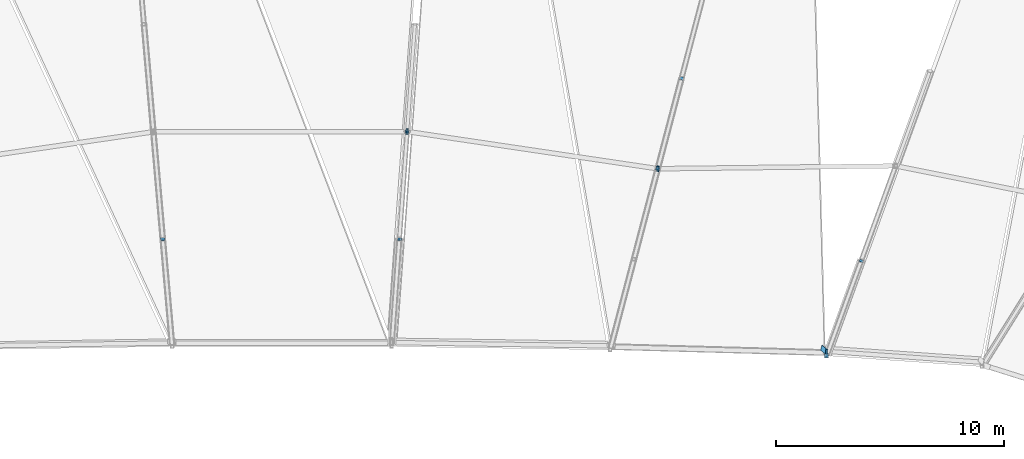
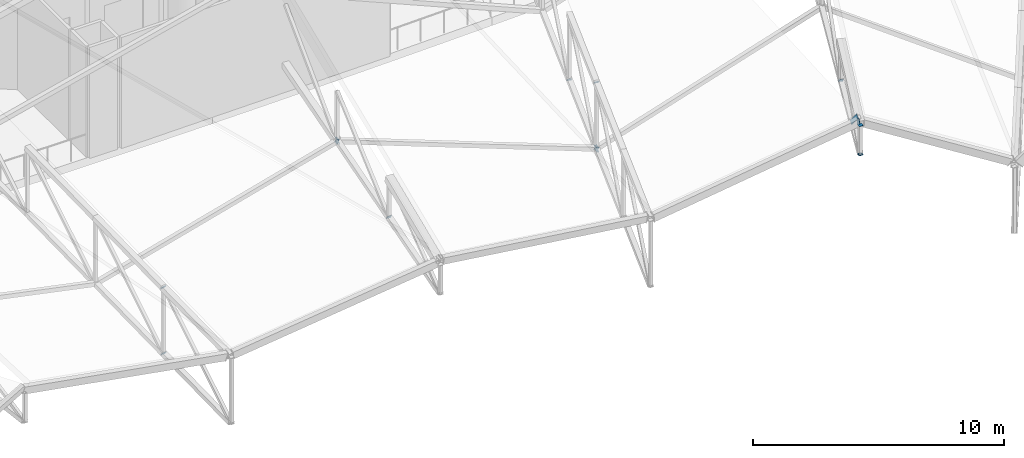
# One storey, part 322 of 344: 17 discrete accessories.
"""IFC4 building model written with IfcOpenShell, lengths in metres."""

from ifc_helpers import new_model, si_unit, direction, frame, origin, origin_2d, place, context, subcontext, project, spatial, rectangle, extrude, material, material_profile, profile_set, type_object, element, save


model = new_model("IFC4")

# Units and contexts
model_context = context("Model", 3, precision=1e-05, world=origin(), true_north=direction((0.0, 1.0)))
body_context = subcontext(model_context, "Body", "Model", "MODEL_VIEW")
ifc_project = project(units=[si_unit("LENGTHUNIT", "METRE"), si_unit("AREAUNIT", "SQUARE_METRE"), si_unit("VOLUMEUNIT", "CUBIC_METRE"), si_unit("PLANEANGLEUNIT", "RADIAN"), si_unit("MASSUNIT", "GRAM", prefix="KILO")], contexts=[model_context])

# Site, building, storey
site_placement = place(None, origin())
site = spatial("IfcSite", under=ifc_project, at=site_placement, CompositionType="ELEMENT")
building_placement = place(site_placement, origin())
building = spatial("IfcBuilding", under=site, at=building_placement, Name="Meseta Stadium", CompositionType="ELEMENT")
storey_placement = place(building_placement, frame((0.0, 0.0, 24.0)))
storey = spatial("IfcBuildingStorey", under=building, at=storey_placement, Name="L04", CompositionType="ELEMENT", Elevation=24.0)

# Discrete accessories
ifc_material_1 = material(Name="Steel S355", Category="steel")
ifc_material_profile_1 = material_profile(ifc_material_1, rectangle(XDim=0.179931640625, YDim=0.179931640625, at=origin_2d()), Name="PL 180x180")
ifc_profile_set_1 = profile_set([ifc_material_profile_1], Name="Steel S355")
discrete_accessory_type_1 = type_object("IfcDiscreteAccessoryType", Name="End plate 180x180x20", PredefinedType="ANCHORPLATE", material=ifc_profile_set_1)
for number, where, z_axis, x_axis, name in (
    (1, (23.879638671875, 65.576904296875, 5.03271484375), (0.0, 0.0, 1.0), (1.0, 0.0, 0.0), "End plate of ROOF TRUSS RT-16 post"),
    (2, (23.879638671875, 65.576904296875, 6.452880859375), (0.0, 0.0, 1.0), (1.0, 0.0, 0.0), "End plate of ROOF TRUSS RT-16 post"),
):
    element("IfcDiscreteAccessory", number, at=place(storey_placement, frame(where, z_axis=z_axis, x_axis=x_axis)), inside=storey, type_object=discrete_accessory_type_1, Name=name, PredefinedType="ANCHORPLATE", context=body_context, shape_type="SweptSolid", body=[
        extrude(rectangle(XDim=0.179931640625, YDim=0.179931640625, at=origin_2d()), origin(), (0.0, 0.0, 1.0), 0.02001953125),
    ])
discrete_accessory_1_placement = place(storey_placement, frame((23.873779296875, 65.560546875, 5.043212890625), z_axis=(0.295733401498, 0.825589079182, 0.480566777434), x_axis=(-0.941423592782, 0.337226361594, 0.0)))
element("IfcDiscreteAccessory", 3, at=discrete_accessory_1_placement, inside=storey, type_object=discrete_accessory_type_1, Name="End plate of ROOF TRUSS RT-16 diagonal", PredefinedType="ANCHORPLATE", context=body_context, shape_type="SweptSolid", body=[
    extrude(rectangle(XDim=0.179931640625, YDim=0.179931640625, at=origin_2d()), origin(), (0.0, 0.0, 1.0), 0.019775390625),
])
for number, where, z_axis, x_axis, name in (
    (4, (25.384765625, 69.7236328125, 5.578125), (0.282044096163, 0.784818354541, 0.551825405536), (-0.94107471628, 0.338198726163, 0.0), "End plate of ROOF TRUSS RT-16 diagonal"),
    (5, (16.476318359375, 73.776611328125, 6.15283203125), (0.182831685835, 0.719137964286, 0.670382848063), (-0.969168531094, 0.246398779092, 0.0), "End plate of ROOF TRUSS RT-17 diagonal"),
):
    element("IfcDiscreteAccessory", number, at=place(storey_placement, frame(where, z_axis=z_axis, x_axis=x_axis)), inside=storey, type_object=discrete_accessory_type_1, Name=name, PredefinedType="ANCHORPLATE", context=body_context, shape_type="SweptSolid", body=[
        extrude(rectangle(XDim=0.179931640625, YDim=0.179931640625, at=origin_2d()), origin(), (0.0, 0.0, 1.0), 0.02001953125),
    ])
for number, where, z_axis, x_axis, name in (
    (6, (16.47265625, 73.762451171875, 2.939208984375), (0.184441720091, 0.713174651018, 0.676286307), (-0.968146911612, 0.250382821969, 0.0), "End plate of ROOF TRUSS RT-17 diagonal"),
    (7, (17.515869140625, 77.732421875, 3.512939453125), (0.184441720091, 0.713174651018, 0.676286307), (-0.968146911612, 0.250382821969, 0.0), "End plate of ROOF TRUSS RT-17 diagonal"),
):
    element("IfcDiscreteAccessory", number, at=place(storey_placement, frame(where, z_axis=z_axis, x_axis=x_axis)), inside=storey, type_object=discrete_accessory_type_1, Name=name, PredefinedType="ANCHORPLATE", context=body_context, shape_type="SweptSolid", body=[
        extrude(rectangle(XDim=0.179931640625, YDim=0.179931640625, at=origin_2d()), origin(), (0.0, 0.0, 1.0), 0.019775390625),
    ])
discrete_accessory_2_placement = place(storey_placement, frame((5.148681640625, 70.677734375, 5.435791015625), z_axis=(0.060790554368, 0.826751539405, 0.559273100186), x_axis=(-0.99730762529, 0.073331443036, 0.0)))
element("IfcDiscreteAccessory", 8, at=discrete_accessory_2_placement, inside=storey, type_object=discrete_accessory_type_1, Name="End plate of ROOF TRUSS RT-18 diagonal", PredefinedType="ANCHORPLATE", context=body_context, shape_type="SweptSolid", body=[
    extrude(rectangle(XDim=0.179931640625, YDim=0.179931640625, at=origin_2d()), origin(), (0.0, 0.0, 1.0), 0.02001953125),
])
discrete_accessory_3_placement = place(storey_placement, frame((5.490478515625, 75.3916015625, 6.167236328125), z_axis=(0.061448064843, 0.786535229997, 0.614480648435), x_axis=(-0.996962141349, 0.077887667293, 0.0)))
element("IfcDiscreteAccessory", 9, at=discrete_accessory_3_placement, inside=storey, type_object=discrete_accessory_type_1, Name="End plate of ROOF TRUSS RT-18 diagonal", PredefinedType="ANCHORPLATE", context=body_context, shape_type="SweptSolid", body=[
    extrude(rectangle(XDim=0.179931640625, YDim=0.179931640625, at=origin_2d()), origin(), (0.0, 0.0, 1.0), 0.019775390625),
])
for number, where, z_axis, x_axis, name in (
    (10, (-5.220458984375, 70.6884765625, 5.658935546875), (-0.073252483696, 0.769151078803, 0.634854858695), (-0.995495472594, -0.094809092628, 0.0), "End plate of ROOF TRUSS RT-19 diagonal"),
    (11, (-5.21923828125, 70.673095703125, 2.446044921875), (-0.061093841343, 0.769782400916, 0.635375949962), (-0.996865392576, -0.079116300998, 0.0), "End plate of ROOF TRUSS RT-19 diagonal"),
):
    element("IfcDiscreteAccessory", number, at=place(storey_placement, frame(where, z_axis=z_axis, x_axis=x_axis)), inside=storey, type_object=discrete_accessory_type_1, Name=name, PredefinedType="ANCHORPLATE", context=body_context, shape_type="SweptSolid", body=[
        extrude(rectangle(XDim=0.179931640625, YDim=0.179931640625, at=origin_2d()), origin(), (0.0, 0.0, 1.0), 0.02001953125),
    ])
ifc_material_2 = material(Name="Steel S355", Category="steel")
ifc_material_profile_2 = material_profile(ifc_material_2, rectangle(XDim=0.239990234375, YDim=0.239990234375, at=origin_2d()), Name="PL 240x240")
ifc_profile_set_2 = profile_set([ifc_material_profile_2], Name="Steel S355")
discrete_accessory_type_2 = type_object("IfcDiscreteAccessoryType", Name="End plate 240x240x20", PredefinedType="ANCHORPLATE", material=ifc_profile_set_2)
discrete_accessory_4_placement = place(storey_placement, frame((16.476318359375, 73.776611328125, 2.95263671875), z_axis=(-0.959096944472, -0.012296114673, -0.282810637473), x_axis=(0.012819459325, -0.999917827355, 0.0)))
element("IfcDiscreteAccessory", 12, at=discrete_accessory_4_placement, inside=storey, type_object=discrete_accessory_type_2, Name="End plate of ROOF TRUSS STRUT RT-16/17", PredefinedType="ANCHORPLATE", context=body_context, shape_type="SweptSolid", body=[
    extrude(rectangle(XDim=0.239990234375, YDim=0.239990234375, at=origin_2d()), origin(), (0.0, 0.0, 1.0), 0.019775390625),
])
for number, where, z_axis, x_axis, name in (
    (13, (16.495361328125, 73.77392578125, 2.947265625), (-0.953704879645, 0.134496842001, 0.268993684002), (-0.139643843047, -0.99020179615, 0.0), "End plate of ROOF TRUSS STRUT RT-17/18"),
    (14, (5.49169921875, 75.4072265625, 6.179443359375), (-0.94889387479, 0.145983673045, 0.279802040002), (-0.152057184254, -0.988371697651, 0.0), "End plate of ROOF TRUSS STRUT RT-17/18"),
    (15, (5.510986328125, 75.4072265625, 6.184814453125), (-0.963343002143, 0.0, -0.268272734774), (0.0, -1.0, 0.0), "End plate of ROOF TRUSS STRUT RT-18/19"),
):
    element("IfcDiscreteAccessory", number, at=place(storey_placement, frame(where, z_axis=z_axis, x_axis=x_axis)), inside=storey, type_object=discrete_accessory_type_2, Name=name, PredefinedType="ANCHORPLATE", context=body_context, shape_type="SweptSolid", body=[
        extrude(rectangle(XDim=0.239990234375, YDim=0.239990234375, at=origin_2d()), origin(), (0.0, 0.0, 1.0), 0.02001953125),
    ])
ifc_material_3 = material(Name="Steel S355", Category="steel")
ifc_material_profile_3 = material_profile(ifc_material_3, rectangle(XDim=0.239990234375, YDim=0.43994140625, at=origin_2d()), Name="PL 240x440")
ifc_profile_set_3 = profile_set([ifc_material_profile_3], Name="Steel S355")
discrete_accessory_type_3 = type_object("IfcDiscreteAccessoryType", Name="End plate 240x440x20", PredefinedType="ANCHORPLATE", material=ifc_profile_set_3)
for number, where, z_axis, x_axis, name in (
    (16, (23.760009765625, 65.847900390625, 6.61328125), (-0.855888994553, 0.061134928182, 0.513533396732), (-0.239049985448, -0.927306782404, -0.288022977842), "End plate of TIP RING BEAM 16"),
    (17, (23.884765625, 65.727783203125, 6.54638671875), (-0.987071159699, 0.0243721274, -0.1584188281), (-0.008271884946, -0.994800533697, -0.101506029752), "End plate of TIP RING BEAM 17"),
):
    element("IfcDiscreteAccessory", number, at=place(storey_placement, frame(where, z_axis=z_axis, x_axis=x_axis)), inside=storey, type_object=discrete_accessory_type_3, Name=name, PredefinedType="ANCHORPLATE", context=body_context, shape_type="SweptSolid", body=[
        extrude(rectangle(XDim=0.239990234375, YDim=0.43994140625, at=origin_2d()), origin(), (0.0, 0.0, 1.0), 0.02001953125),
    ])

save(model, "model.ifc")
